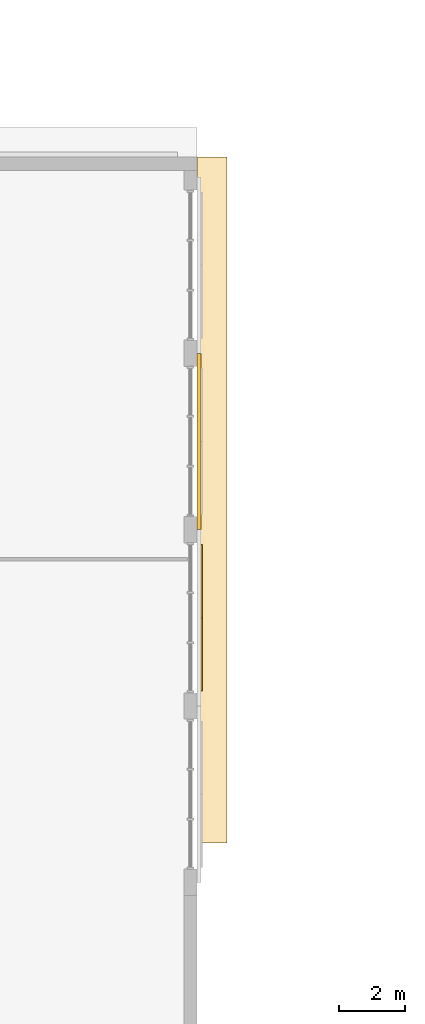
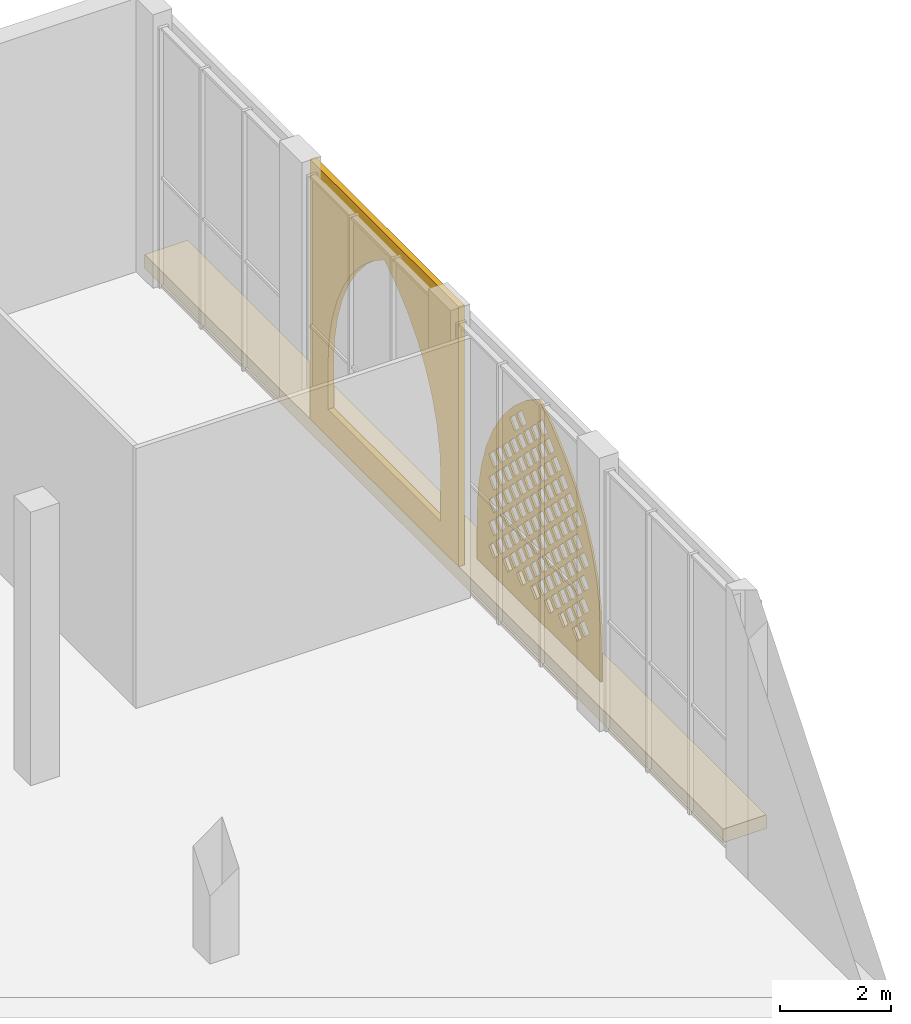
# One storey, part 43 of 74: 3 coverings.
"""IFC4 building model written with IfcOpenShell, lengths in metres."""

from ifc_helpers import new_model, si_unit, direction, frame, origin, place, context, subcontext, project, spatial, polyline, outline, extrude, material, layer, layer_set, type_object, element, save


model = new_model("IFC4")

# Units and contexts
model_context = context("Model", 3, precision=1e-05, world=origin(), true_north=direction((0.0, 1.0)))
body_context = subcontext(model_context, "Body", "Model", "MODEL_VIEW")
ifc_project = project(units=[si_unit("LENGTHUNIT", "METRE"), si_unit("AREAUNIT", "SQUARE_METRE"), si_unit("VOLUMEUNIT", "CUBIC_METRE"), si_unit("PLANEANGLEUNIT", "RADIAN"), si_unit("MASSUNIT", "GRAM", prefix="KILO")], contexts=[model_context])

# Site, building, storey
site_placement = place(None, origin())
site = spatial("IfcSite", under=ifc_project, at=site_placement, CompositionType="ELEMENT")
building_placement = place(site_placement, origin())
building = spatial("IfcBuilding", under=site, at=building_placement, Name="Noorbagh Ring Tower", CompositionType="ELEMENT")
storey_placement = place(building_placement, frame((0.0, 0.0, 7.5)))
storey = spatial("IfcBuildingStorey", under=building, at=storey_placement, Name="L01", CompositionType="ELEMENT", Elevation=7.5)

# Coverings
ifc_material_1 = material(Name="Red sandstone eave", Category="masonry")
covering_type_1 = type_object("IfcCoveringType", Name="STH-CHHAJJA", PredefinedType="USERDEFINED", material=ifc_material_1)
covering_1_placement = place(storey_placement, frame((0.0, 0.0, -0.300048828125)))
element("IfcCovering", 1, at=covering_1_placement, inside=storey, type_object=covering_type_1, Name="Chhajja eave", ObjectType="CHHAJJA", PredefinedType="USERDEFINED", context=body_context, shape_type="SweptSolid", body=[
    extrude(outline(polyline([(-95.0, 10.199951171875), (-95.0, 31.0), (-94.10009765625, 31.0), (-94.10009765625, 10.199951171875), (-95.0, 10.199951171875)])), origin(), (0.0, 0.0, 1.0), 0.300048828125),
])
ifc_material_2 = material(Name="Red sandstone jali", Category="masonry")
ifc_layer_1 = layer(ifc_material_2, 0.0400390625)
ifc_layer_set_1 = layer_set([ifc_layer_1], Name="Red sandstone jali")
covering_type_2 = type_object("IfcCoveringType", Name="STH-JALI", PredefinedType="USERDEFINED", material=ifc_layer_set_1)
covering_2_placement = place(storey_placement, frame((-94.840087890625, 14.800048828125, 0.39990234375), z_axis=(1.0, 0.0, 0.0), x_axis=(0.0, 1.0, 0.0)))
element("IfcCovering", 2, at=covering_2_placement, inside=storey, type_object=covering_type_2, Name="Jali screen", ObjectType="SCREEN", PredefinedType="USERDEFINED", context=body_context, shape_type="SweptSolid", body=[
    extrude(outline(polyline([(0.0, 0.0), (4.449951171875, 0.0), (4.449951171875, 1.0), (4.411865234375, 1.580810546875), (4.29833984375, 2.15185546875), (4.111328125, 2.702880859375), (3.853759765625, 3.22509765625), (3.5302734375, 3.708984375), (3.146484375, 4.146728515625), (2.708984375, 4.530517578125), (2.224853515625, 4.85400390625), (1.740966796875, 4.530517578125), (1.303466796875, 4.146728515625), (0.91943359375, 3.708984375), (0.59619140625, 3.22509765625), (0.338623046875, 2.702880859375), (0.151611328125, 2.15185546875), (0.0380859375, 1.580810546875), (0.0, 1.0), (0.0, 0.0)]), holes=[polyline([(0.669921875, 0.552001953125), (0.85009765625, 0.371826171875), (1.030029296875, 0.552001953125), (0.85009765625, 0.73193359375), (0.669921875, 0.552001953125)]), polyline([(1.169921875, 0.552001953125), (1.35009765625, 0.371826171875), (1.530029296875, 0.552001953125), (1.35009765625, 0.73193359375), (1.169921875, 0.552001953125)]), polyline([(1.669921875, 0.552001953125), (1.85009765625, 0.371826171875), (2.030029296875, 0.552001953125), (1.85009765625, 0.73193359375), (1.669921875, 0.552001953125)]), polyline([(2.169921875, 0.552001953125), (2.35009765625, 0.371826171875), (2.530029296875, 0.552001953125), (2.35009765625, 0.73193359375), (2.169921875, 0.552001953125)]), polyline([(2.669921875, 0.552001953125), (2.85009765625, 0.371826171875), (3.030029296875, 0.552001953125), (2.85009765625, 0.73193359375), (2.669921875, 0.552001953125)]), polyline([(3.169921875, 0.552001953125), (3.35009765625, 0.371826171875), (3.530029296875, 0.552001953125), (3.35009765625, 0.73193359375), (3.169921875, 0.552001953125)]), polyline([(3.669921875, 0.552001953125), (3.85009765625, 0.371826171875), (4.030029296875, 0.552001953125), (3.85009765625, 0.73193359375), (3.669921875, 0.552001953125)]), polyline([(0.419921875, 0.802001953125), (0.60009765625, 0.621826171875), (0.780029296875, 0.802001953125), (0.60009765625, 0.98193359375), (0.419921875, 0.802001953125)]), polyline([(0.919921875, 0.802001953125), (1.10009765625, 0.621826171875), (1.280029296875, 0.802001953125), (1.10009765625, 0.98193359375), (0.919921875, 0.802001953125)]), polyline([(1.419921875, 0.802001953125), (1.60009765625, 0.621826171875), (1.780029296875, 0.802001953125), (1.60009765625, 0.98193359375), (1.419921875, 0.802001953125)]), polyline([(1.919921875, 0.802001953125), (2.10009765625, 0.621826171875), (2.280029296875, 0.802001953125), (2.10009765625, 0.98193359375), (1.919921875, 0.802001953125)]), polyline([(2.419921875, 0.802001953125), (2.60009765625, 0.621826171875), (2.780029296875, 0.802001953125), (2.60009765625, 0.98193359375), (2.419921875, 0.802001953125)]), polyline([(2.919921875, 0.802001953125), (3.10009765625, 0.621826171875), (3.280029296875, 0.802001953125), (3.10009765625, 0.98193359375), (2.919921875, 0.802001953125)]), polyline([(3.419921875, 0.802001953125), (3.60009765625, 0.621826171875), (3.780029296875, 0.802001953125), (3.60009765625, 0.98193359375), (3.419921875, 0.802001953125)]), polyline([(0.669921875, 1.052001953125), (0.85009765625, 0.871826171875), (1.030029296875, 1.052001953125), (0.85009765625, 1.23193359375), (0.669921875, 1.052001953125)]), polyline([(1.169921875, 1.052001953125), (1.35009765625, 0.871826171875), (1.530029296875, 1.052001953125), (1.35009765625, 1.23193359375), (1.169921875, 1.052001953125)]), polyline([(1.669921875, 1.052001953125), (1.85009765625, 0.871826171875), (2.030029296875, 1.052001953125), (1.85009765625, 1.23193359375), (1.669921875, 1.052001953125)]), polyline([(2.169921875, 1.052001953125), (2.35009765625, 0.871826171875), (2.530029296875, 1.052001953125), (2.35009765625, 1.23193359375), (2.169921875, 1.052001953125)]), polyline([(2.669921875, 1.052001953125), (2.85009765625, 0.871826171875), (3.030029296875, 1.052001953125), (2.85009765625, 1.23193359375), (2.669921875, 1.052001953125)]), polyline([(3.169921875, 1.052001953125), (3.35009765625, 0.871826171875), (3.530029296875, 1.052001953125), (3.35009765625, 1.23193359375), (3.169921875, 1.052001953125)]), polyline([(3.669921875, 1.052001953125), (3.85009765625, 0.871826171875), (4.030029296875, 1.052001953125), (3.85009765625, 1.23193359375), (3.669921875, 1.052001953125)]), polyline([(0.419921875, 1.302001953125), (0.60009765625, 1.121826171875), (0.780029296875, 1.302001953125), (0.60009765625, 1.48193359375), (0.419921875, 1.302001953125)]), polyline([(0.919921875, 1.302001953125), (1.10009765625, 1.121826171875), (1.280029296875, 1.302001953125), (1.10009765625, 1.48193359375), (0.919921875, 1.302001953125)]), polyline([(1.419921875, 1.302001953125), (1.60009765625, 1.121826171875), (1.780029296875, 1.302001953125), (1.60009765625, 1.48193359375), (1.419921875, 1.302001953125)]), polyline([(1.919921875, 1.302001953125), (2.10009765625, 1.121826171875), (2.280029296875, 1.302001953125), (2.10009765625, 1.48193359375), (1.919921875, 1.302001953125)]), polyline([(2.419921875, 1.302001953125), (2.60009765625, 1.121826171875), (2.780029296875, 1.302001953125), (2.60009765625, 1.48193359375), (2.419921875, 1.302001953125)]), polyline([(2.919921875, 1.302001953125), (3.10009765625, 1.121826171875), (3.280029296875, 1.302001953125), (3.10009765625, 1.48193359375), (2.919921875, 1.302001953125)]), polyline([(3.419921875, 1.302001953125), (3.60009765625, 1.121826171875), (3.780029296875, 1.302001953125), (3.60009765625, 1.48193359375), (3.419921875, 1.302001953125)]), polyline([(0.669921875, 1.552001953125), (0.85009765625, 1.371826171875), (1.030029296875, 1.552001953125), (0.85009765625, 1.73193359375), (0.669921875, 1.552001953125)]), polyline([(1.169921875, 1.552001953125), (1.35009765625, 1.371826171875), (1.530029296875, 1.552001953125), (1.35009765625, 1.73193359375), (1.169921875, 1.552001953125)]), polyline([(1.669921875, 1.552001953125), (1.85009765625, 1.371826171875), (2.030029296875, 1.552001953125), (1.85009765625, 1.73193359375), (1.669921875, 1.552001953125)]), polyline([(2.169921875, 1.552001953125), (2.35009765625, 1.371826171875), (2.530029296875, 1.552001953125), (2.35009765625, 1.73193359375), (2.169921875, 1.552001953125)]), polyline([(2.669921875, 1.552001953125), (2.85009765625, 1.371826171875), (3.030029296875, 1.552001953125), (2.85009765625, 1.73193359375), (2.669921875, 1.552001953125)]), polyline([(3.169921875, 1.552001953125), (3.35009765625, 1.371826171875), (3.530029296875, 1.552001953125), (3.35009765625, 1.73193359375), (3.169921875, 1.552001953125)]), polyline([(3.669921875, 1.552001953125), (3.85009765625, 1.371826171875), (4.030029296875, 1.552001953125), (3.85009765625, 1.73193359375), (3.669921875, 1.552001953125)]), polyline([(0.419921875, 1.802001953125), (0.60009765625, 1.621826171875), (0.780029296875, 1.802001953125), (0.60009765625, 1.98193359375), (0.419921875, 1.802001953125)]), polyline([(0.919921875, 1.802001953125), (1.10009765625, 1.621826171875), (1.280029296875, 1.802001953125), (1.10009765625, 1.98193359375), (0.919921875, 1.802001953125)]), polyline([(1.419921875, 1.802001953125), (1.60009765625, 1.621826171875), (1.780029296875, 1.802001953125), (1.60009765625, 1.98193359375), (1.419921875, 1.802001953125)]), polyline([(1.919921875, 1.802001953125), (2.10009765625, 1.621826171875), (2.280029296875, 1.802001953125), (2.10009765625, 1.98193359375), (1.919921875, 1.802001953125)]), polyline([(2.419921875, 1.802001953125), (2.60009765625, 1.621826171875), (2.780029296875, 1.802001953125), (2.60009765625, 1.98193359375), (2.419921875, 1.802001953125)]), polyline([(2.919921875, 1.802001953125), (3.10009765625, 1.621826171875), (3.280029296875, 1.802001953125), (3.10009765625, 1.98193359375), (2.919921875, 1.802001953125)]), polyline([(3.419921875, 1.802001953125), (3.60009765625, 1.621826171875), (3.780029296875, 1.802001953125), (3.60009765625, 1.98193359375), (3.419921875, 1.802001953125)]), polyline([(0.669921875, 2.052001953125), (0.85009765625, 1.871826171875), (1.030029296875, 2.052001953125), (0.85009765625, 2.23193359375), (0.669921875, 2.052001953125)]), polyline([(1.169921875, 2.052001953125), (1.35009765625, 1.871826171875), (1.530029296875, 2.052001953125), (1.35009765625, 2.23193359375), (1.169921875, 2.052001953125)]), polyline([(1.669921875, 2.052001953125), (1.85009765625, 1.871826171875), (2.030029296875, 2.052001953125), (1.85009765625, 2.23193359375), (1.669921875, 2.052001953125)]), polyline([(2.169921875, 2.052001953125), (2.35009765625, 1.871826171875), (2.530029296875, 2.052001953125), (2.35009765625, 2.23193359375), (2.169921875, 2.052001953125)]), polyline([(2.669921875, 2.052001953125), (2.85009765625, 1.871826171875), (3.030029296875, 2.052001953125), (2.85009765625, 2.23193359375), (2.669921875, 2.052001953125)]), polyline([(3.169921875, 2.052001953125), (3.35009765625, 1.871826171875), (3.530029296875, 2.052001953125), (3.35009765625, 2.23193359375), (3.169921875, 2.052001953125)]), polyline([(3.669921875, 2.052001953125), (3.85009765625, 1.871826171875), (4.030029296875, 2.052001953125), (3.85009765625, 2.23193359375), (3.669921875, 2.052001953125)]), polyline([(0.419921875, 2.302001953125), (0.60009765625, 2.121826171875), (0.780029296875, 2.302001953125), (0.60009765625, 2.48193359375), (0.419921875, 2.302001953125)]), polyline([(0.919921875, 2.302001953125), (1.10009765625, 2.121826171875), (1.280029296875, 2.302001953125), (1.10009765625, 2.48193359375), (0.919921875, 2.302001953125)]), polyline([(1.419921875, 2.302001953125), (1.60009765625, 2.121826171875), (1.780029296875, 2.302001953125), (1.60009765625, 2.48193359375), (1.419921875, 2.302001953125)]), polyline([(1.919921875, 2.302001953125), (2.10009765625, 2.121826171875), (2.280029296875, 2.302001953125), (2.10009765625, 2.48193359375), (1.919921875, 2.302001953125)]), polyline([(2.419921875, 2.302001953125), (2.60009765625, 2.121826171875), (2.780029296875, 2.302001953125), (2.60009765625, 2.48193359375), (2.419921875, 2.302001953125)]), polyline([(2.919921875, 2.302001953125), (3.10009765625, 2.121826171875), (3.280029296875, 2.302001953125), (3.10009765625, 2.48193359375), (2.919921875, 2.302001953125)]), polyline([(3.419921875, 2.302001953125), (3.60009765625, 2.121826171875), (3.780029296875, 2.302001953125), (3.60009765625, 2.48193359375), (3.419921875, 2.302001953125)]), polyline([(0.669921875, 2.552001953125), (0.85009765625, 2.371826171875), (1.030029296875, 2.552001953125), (0.85009765625, 2.73193359375), (0.669921875, 2.552001953125)]), polyline([(1.169921875, 2.552001953125), (1.35009765625, 2.371826171875), (1.530029296875, 2.552001953125), (1.35009765625, 2.73193359375), (1.169921875, 2.552001953125)]), polyline([(1.669921875, 2.552001953125), (1.85009765625, 2.371826171875), (2.030029296875, 2.552001953125), (1.85009765625, 2.73193359375), (1.669921875, 2.552001953125)]), polyline([(2.169921875, 2.552001953125), (2.35009765625, 2.371826171875), (2.530029296875, 2.552001953125), (2.35009765625, 2.73193359375), (2.169921875, 2.552001953125)]), polyline([(2.669921875, 2.552001953125), (2.85009765625, 2.371826171875), (3.030029296875, 2.552001953125), (2.85009765625, 2.73193359375), (2.669921875, 2.552001953125)]), polyline([(3.169921875, 2.552001953125), (3.35009765625, 2.371826171875), (3.530029296875, 2.552001953125), (3.35009765625, 2.73193359375), (3.169921875, 2.552001953125)]), polyline([(3.669921875, 2.552001953125), (3.85009765625, 2.371826171875), (4.030029296875, 2.552001953125), (3.85009765625, 2.73193359375), (3.669921875, 2.552001953125)]), polyline([(0.919921875, 2.802001953125), (1.10009765625, 2.621826171875), (1.280029296875, 2.802001953125), (1.10009765625, 2.98193359375), (0.919921875, 2.802001953125)]), polyline([(1.419921875, 2.802001953125), (1.60009765625, 2.621826171875), (1.780029296875, 2.802001953125), (1.60009765625, 2.98193359375), (1.419921875, 2.802001953125)]), polyline([(1.919921875, 2.802001953125), (2.10009765625, 2.621826171875), (2.280029296875, 2.802001953125), (2.10009765625, 2.98193359375), (1.919921875, 2.802001953125)]), polyline([(2.419921875, 2.802001953125), (2.60009765625, 2.621826171875), (2.780029296875, 2.802001953125), (2.60009765625, 2.98193359375), (2.419921875, 2.802001953125)]), polyline([(2.919921875, 2.802001953125), (3.10009765625, 2.621826171875), (3.280029296875, 2.802001953125), (3.10009765625, 2.98193359375), (2.919921875, 2.802001953125)]), polyline([(3.419921875, 2.802001953125), (3.60009765625, 2.621826171875), (3.780029296875, 2.802001953125), (3.60009765625, 2.98193359375), (3.419921875, 2.802001953125)]), polyline([(0.669921875, 3.052001953125), (0.85009765625, 2.871826171875), (1.030029296875, 3.052001953125), (0.85009765625, 3.23193359375), (0.669921875, 3.052001953125)]), polyline([(1.169921875, 3.052001953125), (1.35009765625, 2.871826171875), (1.530029296875, 3.052001953125), (1.35009765625, 3.23193359375), (1.169921875, 3.052001953125)]), polyline([(1.669921875, 3.052001953125), (1.85009765625, 2.871826171875), (2.030029296875, 3.052001953125), (1.85009765625, 3.23193359375), (1.669921875, 3.052001953125)]), polyline([(2.169921875, 3.052001953125), (2.35009765625, 2.871826171875), (2.530029296875, 3.052001953125), (2.35009765625, 3.23193359375), (2.169921875, 3.052001953125)]), polyline([(2.669921875, 3.052001953125), (2.85009765625, 2.871826171875), (3.030029296875, 3.052001953125), (2.85009765625, 3.23193359375), (2.669921875, 3.052001953125)]), polyline([(3.169921875, 3.052001953125), (3.35009765625, 2.871826171875), (3.530029296875, 3.052001953125), (3.35009765625, 3.23193359375), (3.169921875, 3.052001953125)]), polyline([(0.919921875, 3.302001953125), (1.10009765625, 3.121826171875), (1.280029296875, 3.302001953125), (1.10009765625, 3.48193359375), (0.919921875, 3.302001953125)]), polyline([(1.419921875, 3.302001953125), (1.60009765625, 3.121826171875), (1.780029296875, 3.302001953125), (1.60009765625, 3.48193359375), (1.419921875, 3.302001953125)]), polyline([(1.919921875, 3.302001953125), (2.10009765625, 3.121826171875), (2.280029296875, 3.302001953125), (2.10009765625, 3.48193359375), (1.919921875, 3.302001953125)]), polyline([(2.419921875, 3.302001953125), (2.60009765625, 3.121826171875), (2.780029296875, 3.302001953125), (2.60009765625, 3.48193359375), (2.419921875, 3.302001953125)]), polyline([(2.919921875, 3.302001953125), (3.10009765625, 3.121826171875), (3.280029296875, 3.302001953125), (3.10009765625, 3.48193359375), (2.919921875, 3.302001953125)]), polyline([(1.169921875, 3.552001953125), (1.35009765625, 3.371826171875), (1.530029296875, 3.552001953125), (1.35009765625, 3.73193359375), (1.169921875, 3.552001953125)]), polyline([(1.669921875, 3.552001953125), (1.85009765625, 3.371826171875), (2.030029296875, 3.552001953125), (1.85009765625, 3.73193359375), (1.669921875, 3.552001953125)]), polyline([(2.169921875, 3.552001953125), (2.35009765625, 3.371826171875), (2.530029296875, 3.552001953125), (2.35009765625, 3.73193359375), (2.169921875, 3.552001953125)]), polyline([(2.669921875, 3.552001953125), (2.85009765625, 3.371826171875), (3.030029296875, 3.552001953125), (2.85009765625, 3.73193359375), (2.669921875, 3.552001953125)]), polyline([(1.419921875, 3.802001953125), (1.60009765625, 3.621826171875), (1.780029296875, 3.802001953125), (1.60009765625, 3.98193359375), (1.419921875, 3.802001953125)]), polyline([(1.919921875, 3.802001953125), (2.10009765625, 3.621826171875), (2.280029296875, 3.802001953125), (2.10009765625, 3.98193359375), (1.919921875, 3.802001953125)]), polyline([(2.419921875, 3.802001953125), (2.60009765625, 3.621826171875), (2.780029296875, 3.802001953125), (2.60009765625, 3.98193359375), (2.419921875, 3.802001953125)]), polyline([(2.919921875, 3.802001953125), (3.10009765625, 3.621826171875), (3.280029296875, 3.802001953125), (3.10009765625, 3.98193359375), (2.919921875, 3.802001953125)]), polyline([(1.669921875, 4.052001953125), (1.85009765625, 3.871826171875), (2.030029296875, 4.052001953125), (1.85009765625, 4.23193359375), (1.669921875, 4.052001953125)]), polyline([(2.169921875, 4.052001953125), (2.35009765625, 3.871826171875), (2.530029296875, 4.052001953125), (2.35009765625, 4.23193359375), (2.169921875, 4.052001953125)]), polyline([(2.669921875, 4.052001953125), (2.85009765625, 3.871826171875), (3.030029296875, 4.052001953125), (2.85009765625, 4.23193359375), (2.669921875, 4.052001953125)]), polyline([(1.919921875, 4.302001953125), (2.10009765625, 4.121826171875), (2.280029296875, 4.302001953125), (2.10009765625, 4.48193359375), (1.919921875, 4.302001953125)])]), origin(), (0.0, 0.0, -1.0), 0.0400390625),
])
ifc_material_3 = material(Name="Red sandstone cladding", Category="masonry")
ifc_layer_2 = layer(ifc_material_3, 0.1201171875)
ifc_layer_set_2 = layer_set([ifc_layer_2], Name="Red sandstone cladding")
covering_type_3 = type_object("IfcCoveringType", Name="STH-SPANDREL", PredefinedType="USERDEFINED", material=ifc_layer_set_2)
covering_3_placement = place(storey_placement, frame((-94.8798828125, 19.699951171875, 0.0), z_axis=(1.0, 0.0, 0.0), x_axis=(0.0, 1.0, 0.0)))
element("IfcCovering", 3, at=covering_3_placement, inside=storey, type_object=covering_type_3, Name="Arch spandrel", ObjectType="ARCH", PredefinedType="USERDEFINED", context=body_context, shape_type="SweptSolid", body=[
    extrude(outline(polyline([(0.0, 0.0), (5.35009765625, 0.0), (5.35009765625, 5.699951171875), (0.0, 5.699951171875), (0.0, 0.0)]), holes=[polyline([(0.64990234375, 0.60009765625), (0.64990234375, 1.60009765625), (0.6845703125, 2.128662109375), (0.7880859375, 2.648193359375), (0.958251953125, 3.14990234375), (1.192626953125, 3.625), (1.48681640625, 4.0654296875), (1.836181640625, 4.4638671875), (2.234619140625, 4.81298828125), (2.675048828125, 5.107421875), (3.115478515625, 4.81298828125), (3.513916015625, 4.4638671875), (3.863037109375, 4.0654296875), (4.157470703125, 3.625), (4.3916015625, 3.14990234375), (4.56201171875, 2.648193359375), (4.665283203125, 2.128662109375), (4.699951171875, 1.60009765625), (4.699951171875, 0.60009765625), (0.64990234375, 0.60009765625)])]), origin(), (0.0, 0.0, -1.0), 0.1201171875),
])

save(model, "model.ifc")
